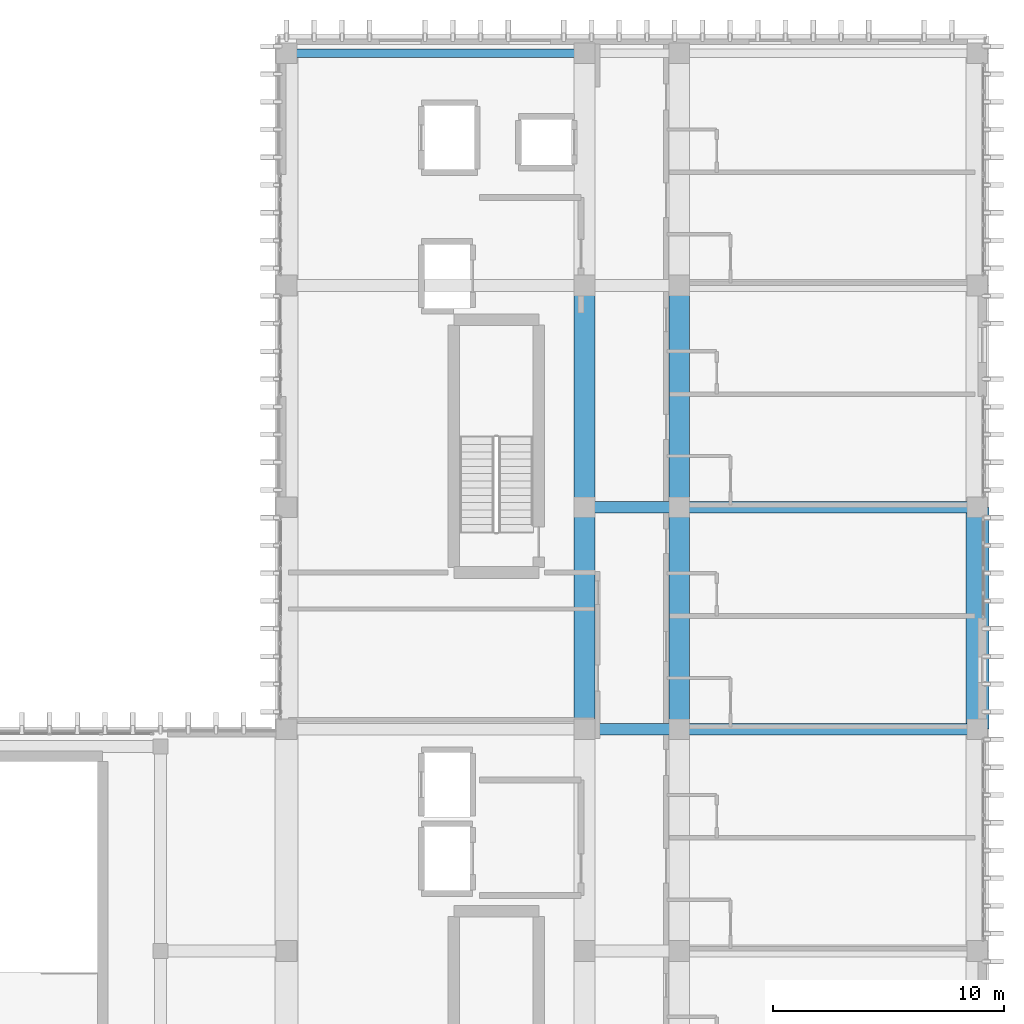
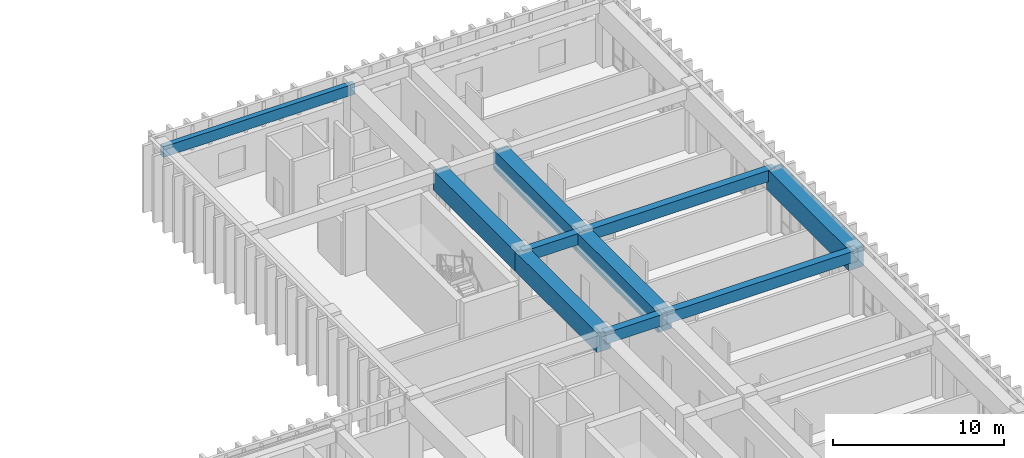
# One storey, part 56 of 101: 10 beams.
"""IFC4 building model written with IfcOpenShell, lengths in metres."""

import ifcopenshell
import ifcopenshell.guid

model = None  # the IFC model being written
_history = None  # IfcOwnerHistory: only IFC2X3 demands one
_inside = {}  # id of a spatial element -> (the spatial element, [elements in it])
_under = {}  # id of a project, library or spatial element -> (it, [spatial elements below it])
_declared = {}  # id of a project -> (the project, [libraries it declares])
_typed = {}  # id of a type object -> (the type object, [elements of that type])
_made_of = {}  # id of a material, layer set ... -> (it, [elements and type objects made of it])


def new_model(schema):
    """Start an empty IFC model of exactly this schema.

    Asked for "IFC4X3", IfcOpenShell would pick the latest addendum, in which some entities
    have other attributes; the version numbers below select the first issue.
    IFC2X3 requires an IfcOwnerHistory on every rooted entity: one is made here for all.
    """
    global model, _history
    if schema == "IFC4X3":
        model = ifcopenshell.file(schema_version=(4, 3, 0, 0))
    else:
        model = ifcopenshell.file(schema=schema)
    _inside.clear()
    _under.clear()
    _declared.clear()
    _typed.clear()
    _made_of.clear()
    _history = None
    if model.schema == "IFC2X3":
        org = make("IfcOrganization", Name="unknown")
        user = make(
            "IfcPersonAndOrganization",
            ThePerson=make("IfcPerson", FamilyName="unknown"),
            TheOrganization=org,
        )
        app = make(
            "IfcApplication",
            ApplicationDeveloper=org,
            Version="unknown",
            ApplicationFullName="unknown",
            ApplicationIdentifier="unknown",
        )
        _history = make(
            "IfcOwnerHistory",
            OwningUser=user,
            OwningApplication=app,
            ChangeAction="ADDED",
            CreationDate=0,
        )
    return model


def make(cls, **values):
    """One entity of the class cls with the attributes given. An attribute that is None is left unset."""
    return model.create_entity(
        cls, **{name: value for name, value in values.items() if value is not None}
    )


def rooted(cls, **values):
    """An entity with a GlobalId (a new one), such as an element, a storey or a relation."""
    return make(cls, GlobalId=ifcopenshell.guid.new(), OwnerHistory=_history, **values)


def si_unit(unit_type, name, prefix=None):
    """IfcSIUnit, for example si_unit("LENGTHUNIT", "METRE", prefix="MILLI")."""
    return make("IfcSIUnit", UnitType=unit_type, Prefix=prefix, Name=name)


def assignment(units):
    """IfcUnitAssignment: the units of a project."""
    return None if units is None else make("IfcUnitAssignment", Units=units)


def point(xyz):
    """IfcCartesianPoint."""
    return None if xyz is None else make("IfcCartesianPoint", Coordinates=xyz)


def direction(xyz):
    """IfcDirection."""
    return None if xyz is None else make("IfcDirection", DirectionRatios=xyz)


def frame(location, z_axis=None, x_axis=None):
    """IfcAxis2Placement3D, a coordinate frame: its origin and axes. An axis left out is left unset."""
    return make(
        "IfcAxis2Placement3D",
        Location=point(location),
        Axis=direction(z_axis),
        RefDirection=direction(x_axis),
    )


def frame_2d(location, x_axis=None):
    """IfcAxis2Placement2D, a coordinate frame in the plane: its origin and x axis."""
    return make(
        "IfcAxis2Placement2D", Location=point(location), RefDirection=direction(x_axis)
    )


def origin():
    """The frame at (0, 0, 0) with its axes left unset."""
    return frame((0.0, 0.0, 0.0))


def origin_2d():
    """The frame at (0, 0) in the plane with its x axis left unset."""
    return frame_2d((0.0, 0.0))


def place(relative_to, where):
    """IfcLocalPlacement: puts the frame where relative to a parent placement (None: the world)."""
    return make(
        "IfcLocalPlacement", PlacementRelTo=relative_to, RelativePlacement=where
    )


def context(
    kind, dimensions, precision=None, world=None, true_north=None, identifier=None
):
    """IfcGeometricRepresentationContext, for example the 3D "Model" context."""
    return make(
        "IfcGeometricRepresentationContext",
        ContextIdentifier=identifier,
        ContextType=kind,
        CoordinateSpaceDimension=dimensions,
        Precision=precision,
        WorldCoordinateSystem=world,
        TrueNorth=true_north,
    )


def subcontext(parent, identifier, kind, view, scale=None):
    """IfcGeometricRepresentationSubContext, for example "Body" below "Model"."""
    return make(
        "IfcGeometricRepresentationSubContext",
        ContextIdentifier=identifier,
        ContextType=kind,
        ParentContext=parent,
        TargetScale=scale,
        TargetView=view,
    )


def project(units=None, contexts=None):
    """IfcProject with its units and contexts."""
    return rooted(
        "IfcProject",
        Name="project",
        RepresentationContexts=contexts,
        UnitsInContext=assignment(units),
    )


def spatial(cls, under=None, at=None, **own):
    """A site, building, storey or space (cls), placed at a placement, below another one or the project."""
    s = rooted(cls, ObjectPlacement=at, **own)
    if under is not None:
        _under.setdefault(under.id(), (under, []))[1].append(s)
    return s


def profile(cls, at=None, kind="AREA", **sizes):
    """A parametric profile (cls). Its sizes go by their IFC names, for example OverallWidth=200.0."""
    return make(cls, ProfileType=kind, Position=at, **sizes)


def rectangle(**sizes):
    """IfcRectangleProfileDef."""
    return profile("IfcRectangleProfileDef", **sizes)


def extrude(swept, where, along, depth):
    """IfcExtrudedAreaSolid: the profile swept, set in the frame where, extruded along a direction by depth."""
    return make(
        "IfcExtrudedAreaSolid",
        SweptArea=swept,
        Position=where,
        ExtrudedDirection=direction(along),
        Depth=depth,
    )


def shape(context_of_items, identifier, shape_type, items):
    """IfcShapeRepresentation: the items that make up one representation, for example the "Body"."""
    return make(
        "IfcShapeRepresentation",
        ContextOfItems=context_of_items,
        RepresentationIdentifier=identifier,
        RepresentationType=shape_type,
        Items=items,
    )


def material(Name=None, Category=None):
    """IfcMaterial."""
    return make("IfcMaterial", Name=Name, Category=Category)


def material_profile(
    of_material, cross_section, Name=None, Category=None, Priority=None
):
    """IfcMaterialProfile: a cross section and its material."""
    return make(
        "IfcMaterialProfile",
        Name=Name,
        Material=of_material,
        Profile=cross_section,
        Priority=Priority,
        Category=Category,
    )


def profile_set(profiles, Name=None, composite=None):
    """IfcMaterialProfileSet."""
    return make(
        "IfcMaterialProfileSet",
        Name=Name,
        MaterialProfiles=profiles,
        CompositeProfile=composite,
    )


def made_of(thing, what):
    """Note that an element or type object is made of a material, layer set ...; save() writes the relation."""
    if what is not None:
        _made_of.setdefault(what.id(), (what, []))[1].append(thing)
    return thing


def type_object(cls, material=None, **own):
    """A type object (cls), such as IfcWallType, which elements share."""
    return made_of(rooted(cls, **own), material)


def element(
    cls,
    number,
    at=None,
    inside=None,
    cuts=None,
    type_object=None,
    material=None,
    context=None,
    identifier="Body",
    shape_type=None,
    held_by="IfcProductDefinitionShape",
    body=None,
    shapes=None,
    **own,
):
    """One element of the class cls, such as IfcWall. Its Tag is "e" and its number.

    at: its placement. inside: the storey or other place that contains it. cuts: it is an
    opening in that element (IfcRelVoidsElement). A single representation is given by context,
    identifier, shape_type and body (its items); several are given by shapes. held_by: the class
    of the entity that holds the representations. save() writes the other relations.
    """
    e = rooted(cls, Tag="e%d" % number, ObjectPlacement=at, **own)
    if body is not None:
        shapes = [shape(context, identifier, shape_type, body)]
    if shapes is not None:
        e.Representation = make(held_by, Representations=shapes)
    if inside is not None:
        _inside.setdefault(inside.id(), (inside, []))[1].append(e)
    if cuts is not None:
        rooted(
            "IfcRelVoidsElement", RelatingBuildingElement=cuts, RelatedOpeningElement=e
        )
    if type_object is not None:
        _typed.setdefault(type_object.id(), (type_object, []))[1].append(e)
    return made_of(e, material)


def aggregate(whole, parts):
    """IfcRelAggregates: a whole, such as a stair, and the parts it consists of."""
    return rooted("IfcRelAggregates", RelatingObject=whole, RelatedObjects=parts)


def save(model, path):
    """Write the relations noted so far, then the file.

    IfcRelAggregates (storeys below a building ...), IfcRelContainedInSpatialStructure (elements
    in a storey), IfcRelDefinesByType, IfcRelAssociatesMaterial and IfcRelDeclares: one each for
    every whole, place, type object, material and project.
    """
    for whole, parts in _under.values():
        aggregate(whole, parts)
    for where, things in _inside.values():
        rooted(
            "IfcRelContainedInSpatialStructure",
            RelatedElements=things,
            RelatingStructure=where,
        )
    for kind, things in _typed.values():
        rooted("IfcRelDefinesByType", RelatedObjects=things, RelatingType=kind)
    for what, things in _made_of.values():
        rooted("IfcRelAssociatesMaterial", RelatedObjects=things, RelatingMaterial=what)
    for by, libraries in _declared.values():
        rooted("IfcRelDeclares", RelatingContext=by, RelatedDefinitions=libraries)
    model.write(path)


model = new_model("IFC4")

# Units and contexts
model_context = context("Model", 3, precision=1e-05, world=origin(), true_north=direction((0.0, 1.0)))
body_context = subcontext(model_context, "Body", "Model", "MODEL_VIEW")
ifc_project = project(units=[si_unit("LENGTHUNIT", "METRE"), si_unit("AREAUNIT", "SQUARE_METRE"), si_unit("VOLUMEUNIT", "CUBIC_METRE"), si_unit("PLANEANGLEUNIT", "RADIAN"), si_unit("MASSUNIT", "GRAM", prefix="KILO")], contexts=[model_context])

# Site, building, storey
site_placement = place(None, origin())
site = spatial("IfcSite", under=ifc_project, at=site_placement, CompositionType="ELEMENT")
building_placement = place(site_placement, origin())
building = spatial("IfcBuilding", under=site, at=building_placement, Name="Nakhvara Creek Congress Hotel", CompositionType="ELEMENT")
storey_placement = place(building_placement, frame((0.0, 0.0, 16.199951171875)))
storey = spatial("IfcBuildingStorey", under=building, at=storey_placement, Name="L03", CompositionType="ELEMENT", Elevation=16.199951171875)

# Beams
ifc_material_1 = material(Name="Concrete C40/50", Category="concrete")
ifc_material_profile_1 = material_profile(ifc_material_1, rectangle(XDim=0.5, YDim=0.800048828125, at=origin_2d()), Name="RC-BM 500x800", Category="LoadBearing")
ifc_profile_set_1 = profile_set([ifc_material_profile_1], Name="Concrete C40/50")
beam_type_1 = type_object("IfcBeamType", Name="BM-RC-500X800", PredefinedType="BEAM", material=ifc_profile_set_1)
for number, where, z_axis, x_axis, name in (
    (1, (162.35009765625, 96.0, 4.14013671875), (1.0, 0.0, 0.0), (0.0, 1.0, 0.0), "Beam B03-L03-1865"),
    (2, (162.35009765625, 105.60009765625, 4.14013671875), (1.0, 0.0, 0.0), (0.0, 1.0, 0.0), "Beam B03-L03-1867"),
):
    element("IfcBeam", number, at=place(storey_placement, frame(where, z_axis=z_axis, x_axis=x_axis)), inside=storey, type_object=beam_type_1, Name=name, PredefinedType="BEAM", context=body_context, shape_type="SweptSolid", body=[
        extrude(rectangle(XDim=0.5, YDim=0.800048828125, at=origin_2d()), origin(), (0.0, 0.0, 1.0), 4.099853515625),
    ])
for number, where, z_axis, x_axis, name in (
    (3, (166.449951171875, 96.0, 4.14013671875), (1.0, 0.0, 0.0), (0.0, 1.0, 0.0), "Beam B03-L03-1890"),
    (4, (166.449951171875, 105.60009765625, 4.14013671875), (1.0, 0.0, 0.0), (0.0, 1.0, 0.0), "Beam B03-L03-1892"),
):
    element("IfcBeam", number, at=place(storey_placement, frame(where, z_axis=z_axis, x_axis=x_axis)), inside=storey, type_object=beam_type_1, Name=name, PredefinedType="BEAM", context=body_context, shape_type="SweptSolid", body=[
        extrude(rectangle(XDim=0.5, YDim=0.800048828125, at=origin_2d()), origin(), (0.0, 0.0, 1.0), 12.900146484375),
    ])
ifc_material_profile_2 = material_profile(ifc_material_1, rectangle(XDim=0.35009765625, YDim=0.75, at=origin_2d()), Name="RC-SPANDREL 350x750", Category="LoadBearing")
ifc_profile_set_2 = profile_set([ifc_material_profile_2], Name="Concrete C40/50")
beam_type_2 = type_object("IfcBeamType", Name="BM-SPN-350X750", PredefinedType="SPANDREL", material=ifc_profile_set_2)
beam_1_placement = place(storey_placement, frame((149.449951171875, 125.25, 4.1650390625), z_axis=(1.0, 0.0, 0.0), x_axis=(0.0, 1.0, 0.0)))
element("IfcBeam", 5, at=beam_1_placement, inside=storey, type_object=beam_type_2, Name="Beam SP1-L03-1843", PredefinedType="SPANDREL", context=body_context, shape_type="SweptSolid", body=[
    extrude(rectangle(XDim=0.35009765625, YDim=0.75, at=origin_2d()), origin(), (0.0, 0.0, 1.0), 12.900146484375),
])
ifc_material_2 = material(Name="Concrete C50/60", Category="concrete")
ifc_material_profile_3 = material_profile(ifc_material_2, rectangle(XDim=0.89990234375, YDim=1.39990234375, at=origin_2d()), Name="RC-TG 900x1400", Category="LoadBearing")
ifc_profile_set_3 = profile_set([ifc_material_profile_3], Name="Concrete C50/60")
beam_type_3 = type_object("IfcBeamType", Name="BM-TG1-1400", PredefinedType="BEAM", material=ifc_profile_set_3)
beam_2_placement = place(storey_placement, frame((162.35009765625, 96.0, 3.840087890625), z_axis=(0.0, 1.0, 0.0), x_axis=(-1.0, 0.0, 0.0)))
element("IfcBeam", 6, at=beam_2_placement, inside=storey, type_object=beam_type_3, Name="Transfer Girder TG1-L03-1864", PredefinedType="BEAM", context=body_context, shape_type="SweptSolid", body=[
    extrude(rectangle(XDim=0.89990234375, YDim=1.39990234375, at=origin_2d()), origin(), (0.0, 0.0, 1.0), 9.60009765625),
])
beam_3_placement = place(storey_placement, frame((162.35009765625, 105.60009765625, 3.840087890625), z_axis=(0.0, 1.0, 0.0), x_axis=(-1.0, 0.0, 0.0)))
element("IfcBeam", 7, at=beam_3_placement, inside=storey, type_object=beam_type_3, Name="Transfer Girder TG1-L03-1866", PredefinedType="BEAM", context=body_context, shape_type="SweptSolid", body=[
    extrude(rectangle(XDim=0.89990234375, YDim=1.39990234375, at=origin_2d()), origin(), (0.0, 0.0, 1.0), 9.599853515625),
])
beam_4_placement = place(storey_placement, frame((166.449951171875, 96.0, 3.840087890625), z_axis=(0.0, 1.0, 0.0), x_axis=(-1.0, 0.0, 0.0)))
element("IfcBeam", 8, at=beam_4_placement, inside=storey, type_object=beam_type_3, Name="Transfer Girder TG1-L03-1889", PredefinedType="BEAM", context=body_context, shape_type="SweptSolid", body=[
    extrude(rectangle(XDim=0.89990234375, YDim=1.39990234375, at=origin_2d()), origin(), (0.0, 0.0, 1.0), 9.60009765625),
])
beam_5_placement = place(storey_placement, frame((166.449951171875, 105.60009765625, 3.840087890625), z_axis=(0.0, 1.0, 0.0), x_axis=(-1.0, 0.0, 0.0)))
element("IfcBeam", 9, at=beam_5_placement, inside=storey, type_object=beam_type_3, Name="Transfer Girder TG1-L03-1891", PredefinedType="BEAM", context=body_context, shape_type="SweptSolid", body=[
    extrude(rectangle(XDim=0.89990234375, YDim=1.39990234375, at=origin_2d()), origin(), (0.0, 0.0, 1.0), 9.599853515625),
])
ifc_material_profile_4 = material_profile(ifc_material_2, rectangle(XDim=1.0, YDim=1.5, at=origin_2d()), Name="RC-TG 1000x1500", Category="LoadBearing")
ifc_profile_set_4 = profile_set([ifc_material_profile_4], Name="Concrete C50/60")
beam_type_4 = type_object("IfcBeamType", Name="BM-TG2-1500", PredefinedType="BEAM", material=ifc_profile_set_4)
beam_6_placement = place(storey_placement, frame((179.35009765625, 96.0, 3.7900390625), z_axis=(0.0, 1.0, 0.0), x_axis=(-1.0, 0.0, 0.0)))
element("IfcBeam", 10, at=beam_6_placement, inside=storey, type_object=beam_type_4, Name="Transfer Girder TG2-L03-1906", PredefinedType="BEAM", context=body_context, shape_type="SweptSolid", body=[
    extrude(rectangle(XDim=1.0, YDim=1.5, at=origin_2d()), origin(), (0.0, 0.0, 1.0), 9.60009765625),
])

save(model, "model.ifc")
